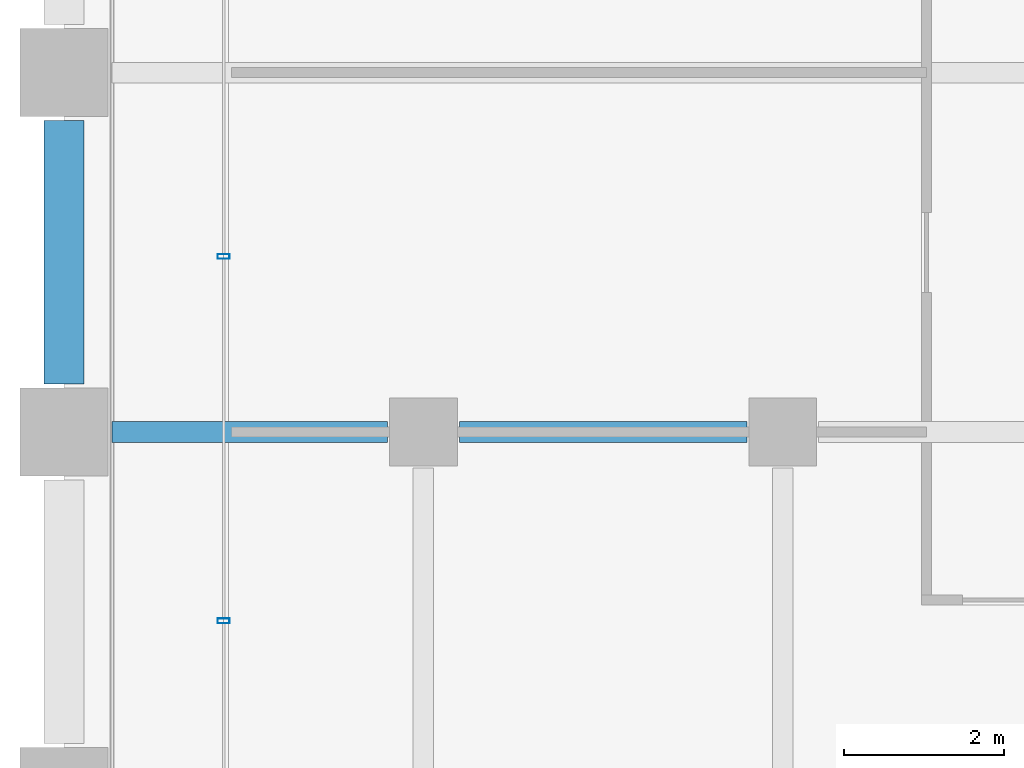
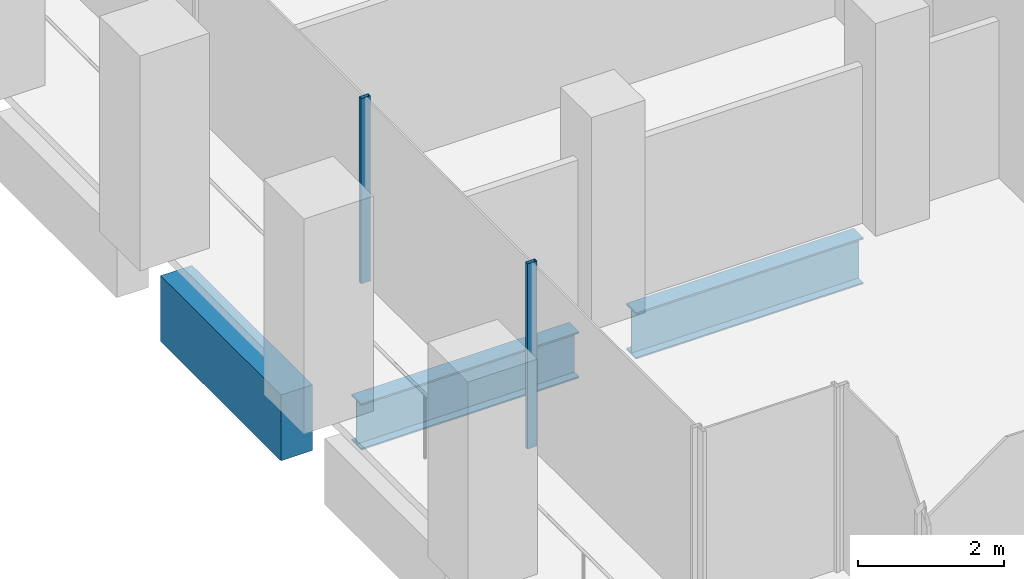
# One storey, part 5 of 55: 3 beams, 2 members, 1 element without a shape of its own.
"""IFC4 building model written with IfcOpenShell, lengths in metres."""

from ifc_helpers import new_model, si_unit, direction, frame, origin, origin_2d, place, context, subcontext, project, spatial, rectangle, hollow_rectangle, i_section, extrude, material, material_profile, profile_set, type_object, element, aggregate, save


model = new_model("IFC4")

# Units and contexts
model_context = context("Model", 3, precision=1e-05, world=origin(), true_north=direction((0.0, 1.0)))
body_context = subcontext(model_context, "Body", "Model", "MODEL_VIEW")
ifc_project = project(units=[si_unit("LENGTHUNIT", "METRE"), si_unit("AREAUNIT", "SQUARE_METRE"), si_unit("VOLUMEUNIT", "CUBIC_METRE"), si_unit("PLANEANGLEUNIT", "RADIAN"), si_unit("MASSUNIT", "GRAM", prefix="KILO")], contexts=[model_context])

# Site, building, storey
site_placement = place(None, origin())
site = spatial("IfcSite", under=ifc_project, at=site_placement, CompositionType="ELEMENT")
building_placement = place(site_placement, origin())
building = spatial("IfcBuilding", under=site, at=building_placement, Name="Altepetl Exchange Towers", CompositionType="ELEMENT")
storey_placement = place(building_placement, frame((0.0, 0.0, 47.39990234375)))
storey = spatial("IfcBuildingStorey", under=building, at=storey_placement, Name="L10", CompositionType="ELEMENT", Elevation=47.39990234375)

# Beams
ifc_material_1 = material(Name="Steel S355", Category="steel")
ifc_material_profile_1 = material_profile(ifc_material_1, i_section(OverallWidth=0.26806640625, OverallDepth=0.77392578125, WebThickness=0.015380859375, FlangeThickness=0.025390625, at=origin_2d()), Name="W30X132")
ifc_profile_set_1 = profile_set([ifc_material_profile_1], Name="Steel S355")
beam_type_1 = type_object("IfcBeamType", Name="Girder W30X132", PredefinedType="BEAM", material=ifc_profile_set_1)
beam_1_placement = place(storey_placement, frame((35.550048828125, 40.5, -0.536865234375), z_axis=(-1.0, 0.0, 0.0), x_axis=(0.0, -1.0, 0.0)))
element("IfcBeam", 1, at=beam_1_placement, inside=storey, type_object=beam_type_1, Name="gd:A:L10:010", PredefinedType="BEAM", context=body_context, shape_type="SweptSolid", body=[
    extrude(i_section(OverallWidth=0.26806640625, OverallDepth=0.77392578125, WebThickness=0.015380859375, FlangeThickness=0.025390625, at=origin_2d()), origin(), (0.0, 0.0, 1.0), 3.60009765625),
])
beam_2_placement = place(storey_placement, frame((31.050048828125, 40.5, -0.536865234375), z_axis=(-1.0, 0.0, 0.0), x_axis=(0.0, -1.0, 0.0)))
element("IfcBeam", 2, at=beam_2_placement, inside=storey, type_object=beam_type_1, Name="gd:A:L10:011", PredefinedType="BEAM", context=body_context, shape_type="SweptSolid", body=[
    extrude(i_section(OverallWidth=0.26806640625, OverallDepth=0.77392578125, WebThickness=0.015380859375, FlangeThickness=0.025390625, at=origin_2d()), origin(), (0.0, 0.0, 1.0), 3.449951171875),
])

# Curtain wall, members
ifc_material_2 = material(Name="Aluminium 6063-T6 glazing", Category="aluminium")
curtain_wall_type = type_object("IfcCurtainWallType", Name="Loggia glazing system", PredefinedType="NOTDEFINED", material=ifc_material_2)
curtain_wall_placement = place(storey_placement, origin())
curtain_wall = element("IfcCurtainWall", 3, at=curtain_wall_placement, inside=storey, type_object=curtain_wall_type, Name="CW1 run", PredefinedType="NOTDEFINED")
ifc_material_3 = material(Name="Aluminium 6063-T6", Category="aluminium")
ifc_material_profile_2 = material_profile(ifc_material_3, hollow_rectangle(XDim=0.06005859375, YDim=0.14990234375, WallThickness=0.0029296875, at=origin_2d()), Name="Mullion 60x150 aluminium")
ifc_profile_set_2 = profile_set([ifc_material_profile_2], Name="Aluminium 6063-T6")
member_type = type_object("IfcMemberType", Name="Mullion 60x150 aluminium", PredefinedType="MULLION", material=ifc_profile_set_2)
member_1_placement = place(storey_placement, frame((29.0, 42.696533203125, 0.0), z_axis=(0.0, 0.0, 1.0), x_axis=(0.0, -1.0, 0.0)))
member_1 = element("IfcMember", 4, at=member_1_placement, type_object=member_type, Name="MU1 mullion", PredefinedType="MULLION", context=body_context, shape_type="SweptSolid", body=[
    extrude(hollow_rectangle(XDim=0.06005859375, YDim=0.14990234375, WallThickness=0.0029296875, at=origin_2d()), origin(), (0.0, 0.0, 1.0), 3.10009765625),
])
member_2_placement = place(storey_placement, frame((29.0, 38.1357421875, 0.0), z_axis=(0.0, 0.0, 1.0), x_axis=(0.0, -1.0, 0.0)))
member_2 = element("IfcMember", 5, at=member_2_placement, type_object=member_type, Name="MU1 mullion", PredefinedType="MULLION", context=body_context, shape_type="SweptSolid", body=[
    extrude(hollow_rectangle(XDim=0.06005859375, YDim=0.14990234375, WallThickness=0.0029296875, at=origin_2d()), origin(), (0.0, 0.0, 1.0), 3.10009765625),
])
aggregate(curtain_wall, [member_1, member_2])

# Beam
ifc_material_4 = material(Name="Concrete C50/60 precast with tezontle facing", Category="concrete")
ifc_material_profile_3 = material_profile(ifc_material_4, rectangle(XDim=0.5, YDim=1.10009765625, at=origin_2d()), Name="500 x 1100")
ifc_profile_set_3 = profile_set([ifc_material_profile_3], Name="Concrete C50/60 precast with tezontle facing")
beam_type_2 = type_object("IfcBeamType", Name="Spandrel beam 500x1100 tezontle", PredefinedType="SPANDREL", material=ifc_profile_set_3)
beam_3_placement = place(storey_placement, frame((27.0, 44.39990234375, -0.699951171875), z_axis=(0.0, -1.0, 0.0), x_axis=(1.0, 0.0, 0.0)))
element("IfcBeam", 6, at=beam_3_placement, inside=storey, type_object=beam_type_2, Name="sp:A:L10:041", PredefinedType="SPANDREL", context=body_context, shape_type="SweptSolid", body=[
    extrude(rectangle(XDim=0.5, YDim=1.10009765625, at=origin_2d()), origin(), (0.0, 0.0, 1.0), 3.2998046875),
])

save(model, "model.ifc")
